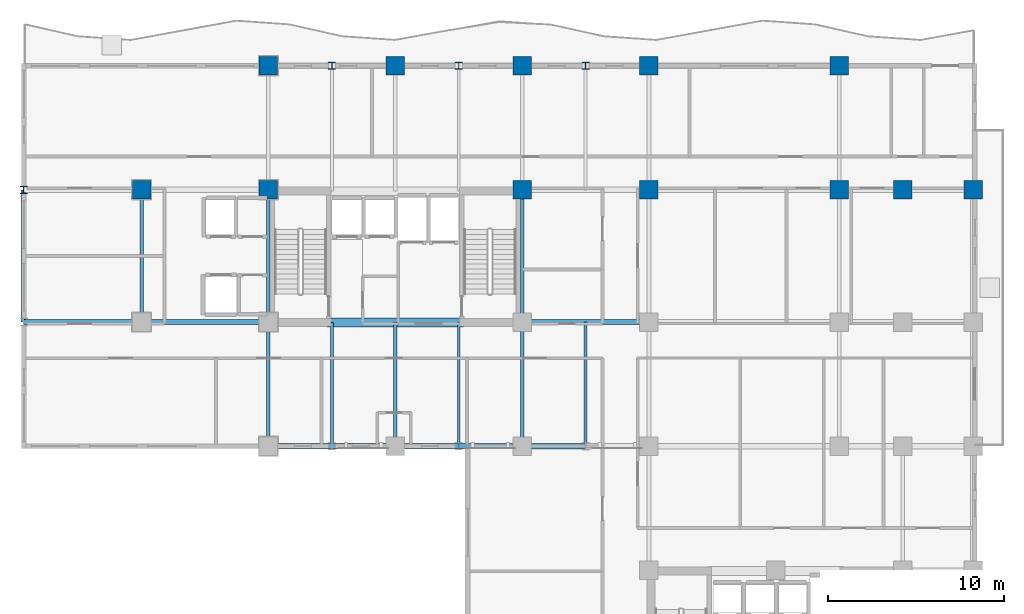
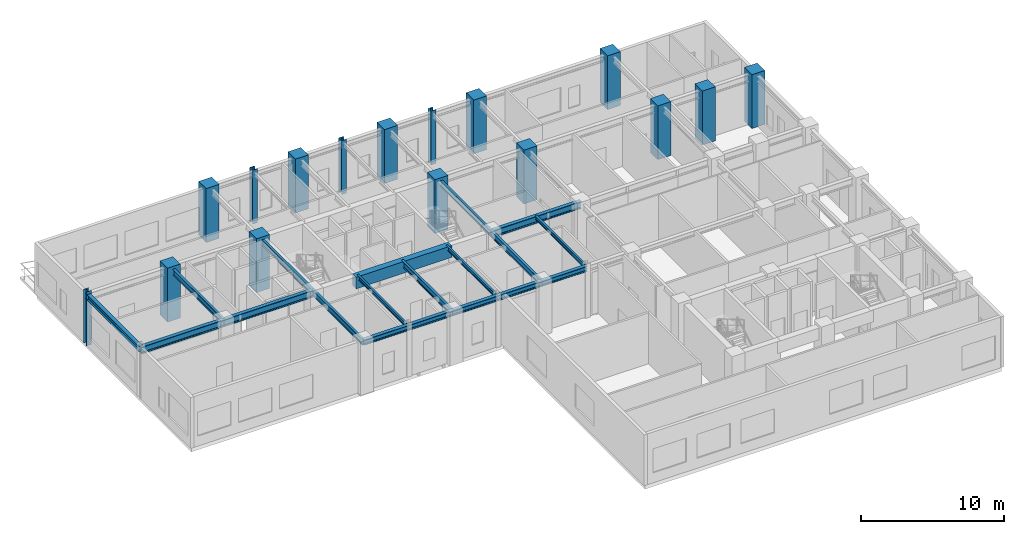
# One storey, part 2 of 14: 19 beams, 16 columns.
"""IFC4 building model written with IfcOpenShell, lengths in metres."""

from ifc_helpers import new_model, si_unit, direction, frame, origin, origin_2d, place, context, subcontext, project, spatial, rectangle, i_section, extrude, source, transform, mapped, material, material_profile, profile_set, type_object, element, save


model = new_model("IFC4")

# Units and contexts
model_context = context("Model", 3, precision=1e-05, world=origin(), true_north=direction((0.0, 1.0)))
body_context = subcontext(model_context, "Body", "Model", "MODEL_VIEW")
ifc_project = project(units=[si_unit("LENGTHUNIT", "METRE"), si_unit("AREAUNIT", "SQUARE_METRE"), si_unit("VOLUMEUNIT", "CUBIC_METRE"), si_unit("PLANEANGLEUNIT", "RADIAN"), si_unit("MASSUNIT", "GRAM", prefix="KILO")], contexts=[model_context])

# Site, building, storey
site_placement = place(None, origin())
site = spatial("IfcSite", under=ifc_project, at=site_placement, CompositionType="ELEMENT")
building_placement = place(site_placement, origin())
building = spatial("IfcBuilding", under=site, at=building_placement, Name="Kaliganga Portal Commons", CompositionType="ELEMENT")
storey_placement = place(building_placement, frame((0.0, 0.0, 135.60009765625)))
storey = spatial("IfcBuildingStorey", under=building, at=storey_placement, Name="L34", CompositionType="ELEMENT", Elevation=135.60009765625)

# Columns
ifc_material_1 = material(Name="Concrete C60/75", Category="concrete")
ifc_material_profile_1 = material_profile(ifc_material_1, rectangle(XDim=1.050048828125, YDim=1.050048828125, at=origin_2d()), Name="RC 1050x1050")
ifc_profile_set_1 = profile_set([ifc_material_profile_1], Name="Concrete C60/75")
column_type_1 = type_object("IfcColumnType", Name="COL-MEGA-Z3", PredefinedType="COLUMN", material=ifc_profile_set_1)
shared_shape_1 = source(origin(), body_context, "Body", "SweptSolid", [
    extrude(rectangle(XDim=1.050048828125, YDim=1.050048828125, at=origin_2d()), origin(), (0.0, 0.0, 1.0), 4.599853515625),
])
for number, where, z_axis, x_axis, name in (
    (1, (7.199951171875, 36.14990234375, 0.0), (0.0, 0.0, 1.0), (1.0, 0.0, 0.0), "Column MC-04 L34"),
    (2, (14.39990234375, 36.14990234375, 0.0), (0.0, 0.0, 1.0), (1.0, 0.0, 0.0), "Column MC-04 L34"),
    (3, (14.39990234375, 43.199951171875, 0.0), (0.0, 0.0, 1.0), (1.0, 0.0, 0.0), "Column MC-04 L34"),
    (4, (21.60009765625, 43.199951171875, 0.0), (0.0, 0.0, 1.0), (1.0, 0.0, 0.0), "Column MC-04 L34"),
    (5, (28.800048828125, 36.14990234375, 0.0), (0.0, 0.0, 1.0), (1.0, 0.0, 0.0), "Column MC-04 L34"),
    (6, (28.800048828125, 43.199951171875, 0.0), (0.0, 0.0, 1.0), (1.0, 0.0, 0.0), "Column MC-04 L34"),
    (7, (36.0, 43.199951171875, 0.0), (0.0, 0.0, 1.0), (1.0, 0.0, 0.0), "Column MC-04 L34"),
    (8, (36.0, 36.14990234375, 0.0), (0.0, 0.0, 1.0), (1.0, 0.0, 0.0), "Column MC-04 L34"),
    (9, (46.800048828125, 36.14990234375, 0.0), (0.0, 0.0, 1.0), (1.0, 0.0, 0.0), "Column MC-04 L34"),
    (10, (46.800048828125, 43.199951171875, 0.0), (0.0, 0.0, 1.0), (1.0, 0.0, 0.0), "Column MC-04 L34"),
    (11, (50.39990234375, 36.14990234375, 0.0), (0.0, 0.0, 1.0), (1.0, 0.0, 0.0), "Column MC-04 L34"),
    (12, (54.39990234375, 36.14990234375, 0.0), (0.0, 0.0, 1.0), (1.0, 0.0, 0.0), "Column MC-04 L34"),
):
    element("IfcColumn", number, at=place(storey_placement, frame(where, z_axis=z_axis, x_axis=x_axis)), inside=storey, type_object=column_type_1, Name=name, PredefinedType="COLUMN", context=body_context, shape_type="MappedRepresentation", body=[
        mapped(shared_shape_1, transform((0.0, 0.0, 0.0), x_axis=(1.0, 0.0, 0.0), y_axis=(0.0, 1.0, 0.0), z_axis=(0.0, 0.0, 1.0), scale=1.0)),
    ])
ifc_material_2 = material(Name="Structural steel S460M", Category="steel")
ifc_material_profile_2 = material_profile(ifc_material_2, i_section(OverallWidth=0.404052734375, OverallDepth=0.4140625, WebThickness=0.0205078125, FlangeThickness=0.028076171875, FilletRadius=0.014892578125, at=origin_2d()), Name="HD 400x347")
ifc_profile_set_2 = profile_set([ifc_material_profile_2], Name="Structural steel S460M wide-flange")
column_type_2 = type_object("IfcColumnType", Name="COL-TUBE-B3", PredefinedType="COLUMN", material=ifc_profile_set_2)
shared_shape_2 = source(origin(), body_context, "Body", "SweptSolid", [
    extrude(i_section(OverallWidth=0.404052734375, OverallDepth=0.4140625, WebThickness=0.0205078125, FlangeThickness=0.028076171875, FilletRadius=0.014892578125, at=origin_2d()), origin(), (0.0, 0.0, 1.0), 4.599853515625),
])
for number, where, z_axis, x_axis, name in (
    (13, (0.5, 36.14990234375, 0.0), (0.0, 0.0, 1.0), (1.0, 0.0, 0.0), "Column TC-03 L34"),
    (14, (18.0, 43.199951171875, 0.0), (0.0, 0.0, 1.0), (1.0, 0.0, 0.0), "Column TC-03 L34"),
    (15, (25.199951171875, 43.199951171875, 0.0), (0.0, 0.0, 1.0), (1.0, 0.0, 0.0), "Column TC-03 L34"),
    (16, (32.39990234375, 43.199951171875, 0.0), (0.0, 0.0, 1.0), (1.0, 0.0, 0.0), "Column TC-03 L34"),
):
    element("IfcColumn", number, at=place(storey_placement, frame(where, z_axis=z_axis, x_axis=x_axis)), inside=storey, type_object=column_type_2, Name=name, PredefinedType="COLUMN", context=body_context, shape_type="MappedRepresentation", body=[
        mapped(shared_shape_2, transform((0.0, 0.0, 0.0), x_axis=(1.0, 0.0, 0.0), y_axis=(0.0, 1.0, 0.0), z_axis=(0.0, 0.0, 1.0), scale=1.0)),
    ])

# Beams
ifc_material_3 = material(Name="Concrete C50/60", Category="concrete")
ifc_material_profile_3 = material_profile(ifc_material_3, rectangle(XDim=0.5, YDim=1.0, at=origin_2d()), Name="RC 500x1000")
ifc_profile_set_3 = profile_set([ifc_material_profile_3], Name="Concrete C50/60")
beam_type_1 = type_object("IfcBeamType", Name="BM-CPL-1000", PredefinedType="LINTEL", material=ifc_profile_set_3)
shared_shape_3 = source(origin(), body_context, "Body", "SweptSolid", [
    extrude(rectangle(XDim=0.5, YDim=1.0, at=origin_2d()), origin(), (0.0, 0.0, 1.0), 7.739990234375),
])
beam_1_placement = place(storey_placement, frame((17.72998046875, 28.625, 3.85986328125), z_axis=(1.0, 0.0, 0.0), x_axis=(0.0, 1.0, 0.0)))
element("IfcBeam", 17, at=beam_1_placement, inside=storey, type_object=beam_type_1, Name="BM CPL COREA L34 S", PredefinedType="LINTEL", context=body_context, shape_type="MappedRepresentation", body=[
    mapped(shared_shape_3, transform((0.0, 0.0, 0.0), x_axis=(1.0, 0.0, 0.0), y_axis=(0.0, 1.0, 0.0), z_axis=(0.0, 0.0, 1.0), scale=1.0)),
])
ifc_material_4 = material(Name="Structural steel S355J2", Category="steel")
ifc_material_profile_4 = material_profile(ifc_material_4, i_section(OverallWidth=0.199951171875, OverallDepth=0.5, WebThickness=0.01025390625, FlangeThickness=0.01611328125, FilletRadius=0.02099609375, at=origin_2d()), Name="IPE 500")
ifc_profile_set_4 = profile_set([ifc_material_profile_4], Name="Structural steel S355J2 wide-flange")
beam_type_2 = type_object("IfcBeamType", Name="BM-FLR-500", PredefinedType="BEAM", material=ifc_profile_set_4)
shared_shape_4 = source(origin(), body_context, "Body", "SweptSolid", [
    extrude(i_section(OverallWidth=0.199951171875, OverallDepth=0.5, WebThickness=0.01025390625, FlangeThickness=0.01611328125, FilletRadius=0.02099609375, at=origin_2d()), origin(), (0.0, 0.0, 1.0), 7.5),
])
for number, where, z_axis, x_axis, name in (
    (18, (7.199951171875, 28.64990234375, 4.10986328125), (0.0, 1.0, 0.0), (-1.0, 0.0, 0.0), "BM G L34 AW72"),
    (19, (14.39990234375, 28.64990234375, 4.10986328125), (0.0, 1.0, 0.0), (-1.0, 0.0, 0.0), "BM G L34 AM144"),
    (20, (28.800048828125, 28.64990234375, 4.10986328125), (0.0, 1.0, 0.0), (-1.0, 0.0, 0.0), "BM G L34 AM288"),
):
    element("IfcBeam", number, at=place(storey_placement, frame(where, z_axis=z_axis, x_axis=x_axis)), inside=storey, type_object=beam_type_2, Name=name, PredefinedType="BEAM", context=body_context, shape_type="MappedRepresentation", body=[
        mapped(shared_shape_4, transform((0.0, 0.0, 0.0), x_axis=(1.0, 0.0, 0.0), y_axis=(0.0, 1.0, 0.0), z_axis=(0.0, 0.0, 1.0), scale=1.0)),
    ])
shared_shape_5 = source(origin(), body_context, "Body", "SweptSolid", [
    extrude(i_section(OverallWidth=0.199951171875, OverallDepth=0.5, WebThickness=0.01025390625, FlangeThickness=0.01611328125, FilletRadius=0.02099609375, at=origin_2d()), origin(), (0.0, 0.0, 1.0), 7.0498046875),
])
for number, where, z_axis, x_axis, name in (
    (21, (14.39990234375, 21.60009765625, 4.10986328125), (0.0, 1.0, 0.0), (-1.0, 0.0, 0.0), "BM G L34 AS144"),
    (22, (28.800048828125, 21.60009765625, 4.10986328125), (0.0, 1.0, 0.0), (-1.0, 0.0, 0.0), "BM G L34 AS288"),
):
    element("IfcBeam", number, at=place(storey_placement, frame(where, z_axis=z_axis, x_axis=x_axis)), inside=storey, type_object=beam_type_2, Name=name, PredefinedType="BEAM", context=body_context, shape_type="MappedRepresentation", body=[
        mapped(shared_shape_5, transform((0.0, 0.0, 0.0), x_axis=(1.0, 0.0, 0.0), y_axis=(0.0, 1.0, 0.0), z_axis=(0.0, 0.0, 1.0), scale=1.0)),
    ])
ifc_material_profile_5 = material_profile(ifc_material_4, i_section(OverallWidth=0.300048828125, OverallDepth=0.449951171875, WebThickness=0.013916015625, FlangeThickness=0.02587890625, FilletRadius=0.027099609375, at=origin_2d()), Name="HE 450 B")
ifc_profile_set_5 = profile_set([ifc_material_profile_5], Name="Structural steel S355J2 wide-flange")
beam_type_3 = type_object("IfcBeamType", Name="BM-SPAND-450", PredefinedType="SPANDREL", material=ifc_profile_set_5)
shared_shape_6 = source(origin(), body_context, "Body", "SweptSolid", [
    extrude(i_section(OverallWidth=0.300048828125, OverallDepth=0.449951171875, WebThickness=0.013916015625, FlangeThickness=0.02587890625, FilletRadius=0.027099609375, at=origin_2d()), origin(), (0.0, 0.0, 1.0), 3.60009765625),
])
for number, where, z_axis, x_axis, name in (
    (23, (14.39990234375, 21.60009765625, 4.135009765625), (1.0, 0.0, 0.0), (0.0, 1.0, 0.0), "BM SP L34 AS 1"),
    (24, (18.0, 21.60009765625, 4.135009765625), (1.0, 0.0, 0.0), (0.0, 1.0, 0.0), "BM SP L34 AS 2"),
    (25, (25.199951171875, 21.60009765625, 4.135009765625), (1.0, 0.0, 0.0), (0.0, 1.0, 0.0), "BM SP L34 AS 4"),
):
    element("IfcBeam", number, at=place(storey_placement, frame(where, z_axis=z_axis, x_axis=x_axis)), inside=storey, type_object=beam_type_3, Name=name, PredefinedType="SPANDREL", context=body_context, shape_type="MappedRepresentation", body=[
        mapped(shared_shape_6, transform((0.0, 0.0, 0.0), x_axis=(1.0, 0.0, 0.0), y_axis=(0.0, 1.0, 0.0), z_axis=(0.0, 0.0, 1.0), scale=1.0)),
    ])
shared_shape_7 = source(origin(), body_context, "Body", "SweptSolid", [
    extrude(i_section(OverallWidth=0.300048828125, OverallDepth=0.449951171875, WebThickness=0.013916015625, FlangeThickness=0.02587890625, FilletRadius=0.027099609375, at=origin_2d()), origin(), (0.0, 0.0, 1.0), 3.599853515625),
])
for number, where, z_axis, x_axis, name in (
    (26, (21.60009765625, 21.60009765625, 4.135009765625), (1.0, 0.0, 0.0), (0.0, 1.0, 0.0), "BM SP L34 AS 3"),
    (27, (28.800048828125, 21.60009765625, 4.135009765625), (1.0, 0.0, 0.0), (0.0, 1.0, 0.0), "BM SP L34 AS 5"),
):
    element("IfcBeam", number, at=place(storey_placement, frame(where, z_axis=z_axis, x_axis=x_axis)), inside=storey, type_object=beam_type_3, Name=name, PredefinedType="SPANDREL", context=body_context, shape_type="MappedRepresentation", body=[
        mapped(shared_shape_7, transform((0.0, 0.0, 0.0), x_axis=(1.0, 0.0, 0.0), y_axis=(0.0, 1.0, 0.0), z_axis=(0.0, 0.0, 1.0), scale=1.0)),
    ])
ifc_material_profile_6 = material_profile(ifc_material_4, i_section(OverallWidth=0.159912109375, OverallDepth=0.330078125, WebThickness=0.007568359375, FlangeThickness=0.011474609375, FilletRadius=0.01806640625, at=origin_2d()), Name="IPE 330")
ifc_profile_set_6 = profile_set([ifc_material_profile_6], Name="Structural steel S355J2 wide-flange")
beam_type_4 = type_object("IfcBeamType", Name="BM-JST-330", PredefinedType="JOIST", material=ifc_profile_set_6)
shared_shape_8 = source(origin(), body_context, "Body", "SweptSolid", [
    extrude(i_section(OverallWidth=0.159912109375, OverallDepth=0.330078125, WebThickness=0.007568359375, FlangeThickness=0.011474609375, FilletRadius=0.01806640625, at=origin_2d()), origin(), (0.0, 0.0, 1.0), 7.0498046875),
])
beam_2_placement = place(storey_placement, frame((32.39990234375, 21.60009765625, 4.19482421875), z_axis=(0.0, 1.0, 0.0), x_axis=(-1.0, 0.0, 0.0)))
element("IfcBeam", 28, at=beam_2_placement, inside=storey, type_object=beam_type_4, Name="BM G L34 AS324", PredefinedType="JOIST", context=body_context, shape_type="MappedRepresentation", body=[
    mapped(shared_shape_8, transform((0.0, 0.0, 0.0), x_axis=(1.0, 0.0, 0.0), y_axis=(0.0, 1.0, 0.0), z_axis=(0.0, 0.0, 1.0), scale=1.0)),
])
shared_shape_9 = source(origin(), body_context, "Body", "SweptSolid", [
    extrude(i_section(OverallWidth=0.300048828125, OverallDepth=0.449951171875, WebThickness=0.013916015625, FlangeThickness=0.02587890625, FilletRadius=0.027099609375, at=origin_2d()), origin(), (0.0, 0.0, 1.0), 7.5),
])
beam_3_placement = place(storey_placement, frame((0.5, 28.64990234375, 4.135009765625), z_axis=(0.0, 1.0, 0.0), x_axis=(-1.0, 0.0, 0.0)))
element("IfcBeam", 29, at=beam_3_placement, inside=storey, type_object=beam_type_3, Name="BM SP L34 AW", PredefinedType="SPANDREL", context=body_context, shape_type="MappedRepresentation", body=[
    mapped(shared_shape_9, transform((0.0, 0.0, 0.0), x_axis=(1.0, 0.0, 0.0), y_axis=(0.0, 1.0, 0.0), z_axis=(0.0, 0.0, 1.0), scale=1.0)),
])
ifc_material_profile_7 = material_profile(ifc_material_4, i_section(OverallWidth=0.300048828125, OverallDepth=0.60009765625, WebThickness=0.015380859375, FlangeThickness=0.030029296875, FilletRadius=0.027099609375, at=origin_2d()), Name="HE 600 B")
ifc_profile_set_7 = profile_set([ifc_material_profile_7], Name="Structural steel S355J2 wide-flange")
beam_type_5 = type_object("IfcBeamType", Name="BM-GIRD-600", PredefinedType="USERDEFINED", material=ifc_profile_set_7)
shared_shape_10 = source(origin(), body_context, "Body", "SweptSolid", [
    extrude(i_section(OverallWidth=0.300048828125, OverallDepth=0.60009765625, WebThickness=0.015380859375, FlangeThickness=0.030029296875, FilletRadius=0.027099609375, at=origin_2d()), origin(), (0.0, 0.0, 1.0), 6.699951171875),
])
beam_4_placement = place(storey_placement, frame((0.5, 28.64990234375, 4.059814453125), z_axis=(1.0, 0.0, 0.0), x_axis=(0.0, 1.0, 0.0)))
element("IfcBeam", 30, at=beam_4_placement, inside=storey, type_object=beam_type_5, Name="BM G L34 WAH_S 1", ObjectType="GIRDER", PredefinedType="USERDEFINED", context=body_context, shape_type="MappedRepresentation", body=[
    mapped(shared_shape_10, transform((0.0, 0.0, 0.0), x_axis=(1.0, 0.0, 0.0), y_axis=(0.0, 1.0, 0.0), z_axis=(0.0, 0.0, 1.0), scale=1.0)),
])
shared_shape_11 = source(origin(), body_context, "Body", "SweptSolid", [
    extrude(i_section(OverallWidth=0.300048828125, OverallDepth=0.60009765625, WebThickness=0.015380859375, FlangeThickness=0.030029296875, FilletRadius=0.027099609375, at=origin_2d()), origin(), (0.0, 0.0, 1.0), 7.199951171875),
])
for number, where, z_axis, x_axis, name in (
    (31, (7.199951171875, 28.64990234375, 4.059814453125), (1.0, 0.0, 0.0), (0.0, 1.0, 0.0), "BM G L34 WAH_S 2"),
    (32, (28.800048828125, 28.64990234375, 4.059814453125), (1.0, 0.0, 0.0), (0.0, 1.0, 0.0), "BM G L34 WAE_S 1"),
):
    element("IfcBeam", number, at=place(storey_placement, frame(where, z_axis=z_axis, x_axis=x_axis)), inside=storey, type_object=beam_type_5, Name=name, ObjectType="GIRDER", PredefinedType="USERDEFINED", context=body_context, shape_type="MappedRepresentation", body=[
        mapped(shared_shape_11, transform((0.0, 0.0, 0.0), x_axis=(1.0, 0.0, 0.0), y_axis=(0.0, 1.0, 0.0), z_axis=(0.0, 0.0, 1.0), scale=1.0)),
    ])
shared_shape_12 = source(origin(), body_context, "Body", "SweptSolid", [
    extrude(i_section(OverallWidth=0.159912109375, OverallDepth=0.330078125, WebThickness=0.007568359375, FlangeThickness=0.011474609375, FilletRadius=0.01806640625, at=origin_2d()), origin(), (0.0, 0.0, 1.0), 7.02490234375),
])
for number, where, z_axis, x_axis, name in (
    (33, (18.0, 21.60009765625, 4.19482421875), (0.0, 1.0, 0.0), (-1.0, 0.0, 0.0), "BM G L34 AS180"),
    (34, (25.199951171875, 21.60009765625, 4.19482421875), (0.0, 1.0, 0.0), (-1.0, 0.0, 0.0), "BM G L34 AS252"),
):
    element("IfcBeam", number, at=place(storey_placement, frame(where, z_axis=z_axis, x_axis=x_axis)), inside=storey, type_object=beam_type_4, Name=name, PredefinedType="JOIST", context=body_context, shape_type="MappedRepresentation", body=[
        mapped(shared_shape_12, transform((0.0, 0.0, 0.0), x_axis=(1.0, 0.0, 0.0), y_axis=(0.0, 1.0, 0.0), z_axis=(0.0, 0.0, 1.0), scale=1.0)),
    ])
shared_shape_13 = source(origin(), body_context, "Body", "SweptSolid", [
    extrude(i_section(OverallWidth=0.199951171875, OverallDepth=0.5, WebThickness=0.01025390625, FlangeThickness=0.01611328125, FilletRadius=0.02099609375, at=origin_2d()), origin(), (0.0, 0.0, 1.0), 7.02490234375),
])
beam_5_placement = place(storey_placement, frame((21.60009765625, 21.60009765625, 4.10986328125), z_axis=(0.0, 1.0, 0.0), x_axis=(-1.0, 0.0, 0.0)))
element("IfcBeam", 35, at=beam_5_placement, inside=storey, type_object=beam_type_2, Name="BM G L34 AS216", PredefinedType="BEAM", context=body_context, shape_type="MappedRepresentation", body=[
    mapped(shared_shape_13, transform((0.0, 0.0, 0.0), x_axis=(1.0, 0.0, 0.0), y_axis=(0.0, 1.0, 0.0), z_axis=(0.0, 0.0, 1.0), scale=1.0)),
])

save(model, "model.ifc")
